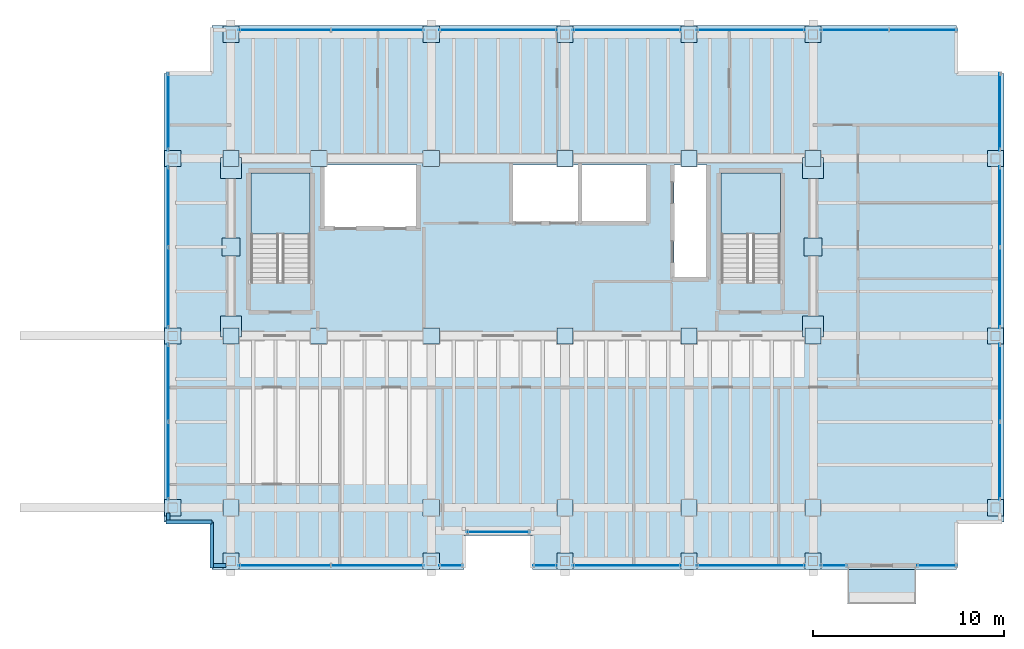
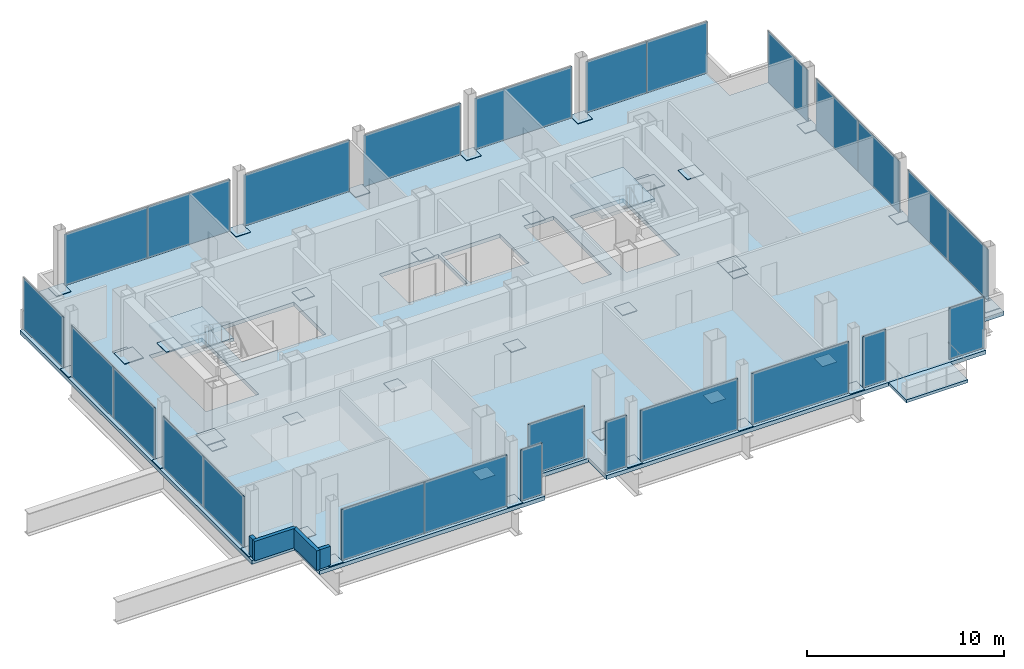
# One storey, part 15 of 19: 65 plates, 4 slabs, 4 walls, 6 openings, 21 elements without a shape of their own.
"""IFC4 building model written with IfcOpenShell, lengths in metres."""

from ifc_helpers import new_model, si_unit, direction, frame, frame_2d, origin, origin_2d, place, context, subcontext, project, spatial, polyline, rectangle, outline, extrude, material, layer, layer_set, type_object, element, aggregate, save


model = new_model("IFC4")

# Units and contexts
model_context = context("Model", 3, precision=1e-05, world=origin(), true_north=direction((0.0, 1.0)))
body_context = subcontext(model_context, "Body", "Model", "MODEL_VIEW")
ifc_project = project(units=[si_unit("LENGTHUNIT", "METRE"), si_unit("AREAUNIT", "SQUARE_METRE"), si_unit("VOLUMEUNIT", "CUBIC_METRE"), si_unit("PLANEANGLEUNIT", "RADIAN"), si_unit("MASSUNIT", "GRAM", prefix="KILO")], contexts=[model_context])

# Site, building, storey
site_placement = place(None, origin())
site = spatial("IfcSite", under=ifc_project, at=site_placement, CompositionType="ELEMENT")
building_placement = place(site_placement, origin())
building = spatial("IfcBuilding", under=site, at=building_placement, Name="Noeulbin Bourse Tower", CompositionType="ELEMENT")
storey_placement = place(building_placement, frame((0.0, 0.0, 169.5)))
storey = spatial("IfcBuildingStorey", under=building, at=storey_placement, Name="L42", CompositionType="ELEMENT", Elevation=169.5)

# Curtain wall, plate
ifc_material_1 = material(Name="Dark Tinted Triple Glazing", Category="glass")
curtain_wall_type = type_object("IfcCurtainWallType", Name="CW-SYS-3", PredefinedType="NOTDEFINED", material=ifc_material_1)
curtain_wall_1_placement = place(storey_placement, origin())
curtain_wall_1 = element("IfcCurtainWall", 1, at=curtain_wall_1_placement, inside=storey, type_object=curtain_wall_type, Name="Unitised Curtain Wall CW-L42-SREC", PredefinedType="NOTDEFINED")
ifc_layer_1 = layer(ifc_material_1, 0.035888671875)
ifc_layer_set_1 = layer_set([ifc_layer_1], Name="Dark Tinted Triple Glazing")
plate_type_1 = type_object("IfcPlateType", Name="CW-SYS-3-PNL", PredefinedType="CURTAIN_PANEL", material=ifc_layer_set_1)
plate_1_placement = place(storey_placement, frame((27.5, 18.72998046875, 0.0), z_axis=(0.0, 0.0, 1.0), x_axis=(1.0, 0.0, 0.0)))
plate_1 = element("IfcPlate", 2, at=plate_1_placement, type_object=plate_type_1, Name="Glazed Curtain Panel CW-L42-SREC-P00", PredefinedType="CURTAIN_PANEL", context=body_context, shape_type="SweptSolid", body=[
    extrude(rectangle(XDim=3.300048828125, YDim=0.035888671875, at=origin_2d()), origin(), (0.0, 0.0, 1.0), 3.179931640625),
])
aggregate(curtain_wall_1, [plate_1])

# Curtain wall, plates
curtain_wall_2_placement = place(storey_placement, origin())
curtain_wall_2 = element("IfcCurtainWall", 3, at=curtain_wall_2_placement, inside=storey, type_object=curtain_wall_type, Name="Unitised Curtain Wall CW-L42-S1-S1", PredefinedType="NOTDEFINED")
plate_2_placement = place(storey_placement, frame((16.330078125, 16.969970703125, 0.0), z_axis=(0.0, 0.0, 1.0), x_axis=(1.0, 0.0, 0.0)))
plate_2 = element("IfcPlate", 4, at=plate_2_placement, type_object=plate_type_1, Name="Glazed Curtain Panel CW-L42-S1-S1-P00", PredefinedType="CURTAIN_PANEL", context=body_context, shape_type="SweptSolid", body=[
    extrude(rectangle(XDim=4.840087890625, YDim=0.035888671875, at=origin_2d()), origin(), (0.0, 0.0, 1.0), 3.179931640625),
])
plate_3_placement = place(storey_placement, frame((21.169921875, 16.969970703125, 0.0), z_axis=(0.0, 0.0, 1.0), x_axis=(1.0, 0.0, 0.0)))
plate_3 = element("IfcPlate", 5, at=plate_3_placement, type_object=plate_type_1, Name="Glazed Curtain Panel CW-L42-S1-S1-P01", PredefinedType="CURTAIN_PANEL", context=body_context, shape_type="SweptSolid", body=[
    extrude(rectangle(XDim=4.840087890625, YDim=0.035888671875, at=origin_2d()), origin(), (0.0, 0.0, 1.0), 3.179931640625),
])
aggregate(curtain_wall_2, [plate_2, plate_3])

# Curtain wall, plate
curtain_wall_3_placement = place(storey_placement, origin())
curtain_wall_3 = element("IfcCurtainWall", 6, at=curtain_wall_3_placement, inside=storey, type_object=curtain_wall_type, Name="Unitised Curtain Wall CW-L42-S1-S2", PredefinedType="NOTDEFINED")
plate_4_placement = place(storey_placement, frame((25.030029296875, 16.969970703125, 0.0), z_axis=(0.0, 0.0, 1.0), x_axis=(1.0, 0.0, 0.0)))
plate_4 = element("IfcPlate", 7, at=plate_4_placement, type_object=plate_type_1, Name="Glazed Curtain Panel CW-L42-S1-S2-P00", PredefinedType="CURTAIN_PANEL", context=body_context, shape_type="SweptSolid", body=[
    extrude(rectangle(XDim=1.239990234375, YDim=0.035888671875, at=origin_2d()), origin(), (0.0, 0.0, 1.0), 3.179931640625),
])
aggregate(curtain_wall_3, [plate_4])

curtain_wall_4_placement = place(storey_placement, origin())
curtain_wall_4 = element("IfcCurtainWall", 8, at=curtain_wall_4_placement, inside=storey, type_object=curtain_wall_type, Name="Unitised Curtain Wall CW-L42-S2-S1", PredefinedType="NOTDEFINED")
plate_5_placement = place(storey_placement, frame((29.969970703125, 16.969970703125, 0.0), z_axis=(0.0, 0.0, 1.0), x_axis=(1.0, 0.0, 0.0)))
plate_5 = element("IfcPlate", 9, at=plate_5_placement, type_object=plate_type_1, Name="Glazed Curtain Panel CW-L42-S2-S1-P00", PredefinedType="CURTAIN_PANEL", context=body_context, shape_type="SweptSolid", body=[
    extrude(rectangle(XDim=1.239990234375, YDim=0.035888671875, at=origin_2d()), origin(), (0.0, 0.0, 1.0), 3.179931640625),
])
aggregate(curtain_wall_4, [plate_5])

curtain_wall_5_placement = place(storey_placement, origin())
curtain_wall_5 = element("IfcCurtainWall", 10, at=curtain_wall_5_placement, inside=storey, type_object=curtain_wall_type, Name="Unitised Curtain Wall CW-L42-S2-S2", PredefinedType="NOTDEFINED")
plate_6_placement = place(storey_placement, frame((34.25, 16.969970703125, 0.0), z_axis=(0.0, 0.0, 1.0), x_axis=(1.0, 0.0, 0.0)))
plate_6 = element("IfcPlate", 11, at=plate_6_placement, type_object=plate_type_1, Name="Glazed Curtain Panel CW-L42-S2-S2-P00", PredefinedType="CURTAIN_PANEL", context=body_context, shape_type="SweptSolid", body=[
    extrude(rectangle(XDim=5.679931640625, YDim=0.035888671875, at=origin_2d()), origin(), (0.0, 0.0, 1.0), 3.179931640625),
])
aggregate(curtain_wall_5, [plate_6])

curtain_wall_6_placement = place(storey_placement, origin())
curtain_wall_6 = element("IfcCurtainWall", 12, at=curtain_wall_6_placement, inside=storey, type_object=curtain_wall_type, Name="Unitised Curtain Wall CW-L42-S2-S3", PredefinedType="NOTDEFINED")
plate_7_placement = place(storey_placement, frame((40.75, 16.969970703125, 0.0), z_axis=(0.0, 0.0, 1.0), x_axis=(1.0, 0.0, 0.0)))
plate_7 = element("IfcPlate", 13, at=plate_7_placement, type_object=plate_type_1, Name="Glazed Curtain Panel CW-L42-S2-S3-P00", PredefinedType="CURTAIN_PANEL", context=body_context, shape_type="SweptSolid", body=[
    extrude(rectangle(XDim=5.679931640625, YDim=0.035888671875, at=origin_2d()), origin(), (0.0, 0.0, 1.0), 3.179931640625),
])
aggregate(curtain_wall_6, [plate_7])

curtain_wall_7_placement = place(storey_placement, origin())
curtain_wall_7 = element("IfcCurtainWall", 14, at=curtain_wall_7_placement, inside=storey, type_object=curtain_wall_type, Name="Unitised Curtain Wall CW-L42-S2-S4", PredefinedType="NOTDEFINED")
plate_8_placement = place(storey_placement, frame((45.080078125, 16.969970703125, 0.0), z_axis=(0.0, 0.0, 1.0), x_axis=(1.0, 0.0, 0.0)))
plate_8 = element("IfcPlate", 15, at=plate_8_placement, type_object=plate_type_1, Name="Glazed Curtain Panel CW-L42-S2-S4-P00", PredefinedType="CURTAIN_PANEL", context=body_context, shape_type="SweptSolid", body=[
    extrude(rectangle(XDim=1.340087890625, YDim=0.035888671875, at=origin_2d()), origin(), (0.0, 0.0, 1.0), 3.179931640625),
])
aggregate(curtain_wall_7, [plate_8])

curtain_wall_8_placement = place(storey_placement, origin())
curtain_wall_8 = element("IfcCurtainWall", 16, at=curtain_wall_8_placement, inside=storey, type_object=curtain_wall_type, Name="Unitised Curtain Wall CW-L42-S3", PredefinedType="NOTDEFINED")
plate_9_placement = place(storey_placement, frame((50.485107421875, 16.969970703125, 0.0), z_axis=(0.0, 0.0, 1.0), x_axis=(1.0, 0.0, 0.0)))
plate_9 = element("IfcPlate", 17, at=plate_9_placement, type_object=plate_type_1, Name="Glazed Curtain Panel CW-L42-S3-P00", PredefinedType="CURTAIN_PANEL", context=body_context, shape_type="SweptSolid", body=[
    extrude(rectangle(XDim=2.070068359375, YDim=0.035888671875, at=origin_2d()), origin(), (0.0, 0.0, 1.0), 3.179931640625),
])
aggregate(curtain_wall_8, [plate_9])

# Curtain wall, plates
curtain_wall_9_placement = place(storey_placement, origin())
curtain_wall_9 = element("IfcCurtainWall", 18, at=curtain_wall_9_placement, inside=storey, type_object=curtain_wall_type, Name="Unitised Curtain Wall CW-L42-N-S1", PredefinedType="NOTDEFINED")
plate_10_placement = place(storey_placement, frame((16.330078125, 45.030029296875, 0.0), z_axis=(0.0, 0.0, 1.0), x_axis=(1.0, 0.0, 0.0)))
plate_10 = element("IfcPlate", 19, at=plate_10_placement, type_object=plate_type_1, Name="Glazed Curtain Panel CW-L42-N-S1-P00", PredefinedType="CURTAIN_PANEL", context=body_context, shape_type="SweptSolid", body=[
    extrude(rectangle(XDim=4.840087890625, YDim=0.035888671875, at=origin_2d()), origin(), (0.0, 0.0, 1.0), 3.179931640625),
])
plate_11_placement = place(storey_placement, frame((21.169921875, 45.030029296875, 0.0), z_axis=(0.0, 0.0, 1.0), x_axis=(1.0, 0.0, 0.0)))
plate_11 = element("IfcPlate", 20, at=plate_11_placement, type_object=plate_type_1, Name="Glazed Curtain Panel CW-L42-N-S1-P01", PredefinedType="CURTAIN_PANEL", context=body_context, shape_type="SweptSolid", body=[
    extrude(rectangle(XDim=4.840087890625, YDim=0.035888671875, at=origin_2d()), origin(), (0.0, 0.0, 1.0), 3.179931640625),
])
aggregate(curtain_wall_9, [plate_10, plate_11])

# Curtain wall, plate
curtain_wall_10_placement = place(storey_placement, origin())
curtain_wall_10 = element("IfcCurtainWall", 21, at=curtain_wall_10_placement, inside=storey, type_object=curtain_wall_type, Name="Unitised Curtain Wall CW-L42-N-S2", PredefinedType="NOTDEFINED")
plate_12_placement = place(storey_placement, frame((27.5, 45.030029296875, 0.0), z_axis=(0.0, 0.0, 1.0), x_axis=(1.0, 0.0, 0.0)))
plate_12 = element("IfcPlate", 22, at=plate_12_placement, type_object=plate_type_1, Name="Glazed Curtain Panel CW-L42-N-S2-P00", PredefinedType="CURTAIN_PANEL", context=body_context, shape_type="SweptSolid", body=[
    extrude(rectangle(XDim=6.179931640625, YDim=0.035888671875, at=origin_2d()), origin(), (0.0, 0.0, 1.0), 3.179931640625),
])
aggregate(curtain_wall_10, [plate_12])

curtain_wall_11_placement = place(storey_placement, origin())
curtain_wall_11 = element("IfcCurtainWall", 23, at=curtain_wall_11_placement, inside=storey, type_object=curtain_wall_type, Name="Unitised Curtain Wall CW-L42-N-S3", PredefinedType="NOTDEFINED")
plate_13_placement = place(storey_placement, frame((34.25, 45.030029296875, 0.0), z_axis=(0.0, 0.0, 1.0), x_axis=(1.0, 0.0, 0.0)))
plate_13 = element("IfcPlate", 24, at=plate_13_placement, type_object=plate_type_1, Name="Glazed Curtain Panel CW-L42-N-S3-P00", PredefinedType="CURTAIN_PANEL", context=body_context, shape_type="SweptSolid", body=[
    extrude(rectangle(XDim=5.679931640625, YDim=0.035888671875, at=origin_2d()), origin(), (0.0, 0.0, 1.0), 3.179931640625),
])
aggregate(curtain_wall_11, [plate_13])

curtain_wall_12_placement = place(storey_placement, origin())
curtain_wall_12 = element("IfcCurtainWall", 25, at=curtain_wall_12_placement, inside=storey, type_object=curtain_wall_type, Name="Unitised Curtain Wall CW-L42-N-S4", PredefinedType="NOTDEFINED")
plate_14_placement = place(storey_placement, frame((40.75, 45.030029296875, 0.0), z_axis=(0.0, 0.0, 1.0), x_axis=(1.0, 0.0, 0.0)))
plate_14 = element("IfcPlate", 26, at=plate_14_placement, type_object=plate_type_1, Name="Glazed Curtain Panel CW-L42-N-S4-P00", PredefinedType="CURTAIN_PANEL", context=body_context, shape_type="SweptSolid", body=[
    extrude(rectangle(XDim=5.679931640625, YDim=0.035888671875, at=origin_2d()), origin(), (0.0, 0.0, 1.0), 3.179931640625),
])
aggregate(curtain_wall_12, [plate_14])

# Curtain wall, plates
curtain_wall_13_placement = place(storey_placement, origin())
curtain_wall_13 = element("IfcCurtainWall", 27, at=curtain_wall_13_placement, inside=storey, type_object=curtain_wall_type, Name="Unitised Curtain Wall CW-L42-N-S5", PredefinedType="NOTDEFINED")
plate_15_placement = place(storey_placement, frame((46.1875, 45.030029296875, 0.0), z_axis=(0.0, 0.0, 1.0), x_axis=(1.0, 0.0, 0.0)))
plate_15 = element("IfcPlate", 28, at=plate_15_placement, type_object=plate_type_1, Name="Glazed Curtain Panel CW-L42-N-S5-P00", PredefinedType="CURTAIN_PANEL", context=body_context, shape_type="SweptSolid", body=[
    extrude(rectangle(XDim=3.554931640625, YDim=0.035888671875, at=origin_2d()), origin(), (0.0, 0.0, 1.0), 3.179931640625),
])
plate_16_placement = place(storey_placement, frame((49.742431640625, 45.030029296875, 0.0), z_axis=(0.0, 0.0, 1.0), x_axis=(1.0, 0.0, 0.0)))
plate_16 = element("IfcPlate", 29, at=plate_16_placement, type_object=plate_type_1, Name="Glazed Curtain Panel CW-L42-N-S5-P01", PredefinedType="CURTAIN_PANEL", context=body_context, shape_type="SweptSolid", body=[
    extrude(rectangle(XDim=3.554931640625, YDim=0.035888671875, at=origin_2d()), origin(), (0.0, 0.0, 1.0), 3.179931640625),
])
aggregate(curtain_wall_13, [plate_15, plate_16])

curtain_wall_14_placement = place(storey_placement, origin())
curtain_wall_14 = element("IfcCurtainWall", 30, at=curtain_wall_14_placement, inside=storey, type_object=curtain_wall_type, Name="Unitised Curtain Wall CW-L42-W-S1", PredefinedType="NOTDEFINED")
plate_17_placement = place(storey_placement, frame((10.219970703125, 22.455078125, 0.0), z_axis=(0.0, 0.0, 1.0), x_axis=(0.0, 1.0, 0.0)))
plate_17 = element("IfcPlate", 31, at=plate_17_placement, type_object=plate_type_1, Name="Glazed Curtain Panel CW-L42-W-S1-P00", PredefinedType="CURTAIN_PANEL", context=body_context, shape_type="SweptSolid", body=[
    extrude(rectangle(XDim=4.090087890625, YDim=0.035888671875, at=origin_2d()), origin(), (0.0, 0.0, 1.0), 3.179931640625),
])
plate_18_placement = place(storey_placement, frame((10.219970703125, 26.544921875, 0.0), z_axis=(0.0, 0.0, 1.0), x_axis=(0.0, 1.0, 0.0)))
plate_18 = element("IfcPlate", 32, at=plate_18_placement, type_object=plate_type_1, Name="Glazed Curtain Panel CW-L42-W-S1-P01", PredefinedType="CURTAIN_PANEL", context=body_context, shape_type="SweptSolid", body=[
    extrude(rectangle(XDim=4.090087890625, YDim=0.035888671875, at=origin_2d()), origin(), (0.0, 0.0, 1.0), 3.179931640625),
])
aggregate(curtain_wall_14, [plate_17, plate_18])

curtain_wall_15_placement = place(storey_placement, origin())
curtain_wall_15 = element("IfcCurtainWall", 33, at=curtain_wall_15_placement, inside=storey, type_object=curtain_wall_type, Name="Unitised Curtain Wall CW-L42-W-S2", PredefinedType="NOTDEFINED")
plate_19_placement = place(storey_placement, frame((10.219970703125, 31.530029296875, 0.0), z_axis=(0.0, 0.0, 1.0), x_axis=(0.0, 1.0, 0.0)))
plate_19 = element("IfcPlate", 34, at=plate_19_placement, type_object=plate_type_1, Name="Glazed Curtain Panel CW-L42-W-S2-P00", PredefinedType="CURTAIN_PANEL", context=body_context, shape_type="SweptSolid", body=[
    extrude(rectangle(XDim=4.239990234375, YDim=0.035888671875, at=origin_2d()), origin(), (0.0, 0.0, 1.0), 3.179931640625),
])
plate_20_placement = place(storey_placement, frame((10.219970703125, 35.77001953125, 0.0), z_axis=(0.0, 0.0, 1.0), x_axis=(0.0, 1.0, 0.0)))
plate_20 = element("IfcPlate", 35, at=plate_20_placement, type_object=plate_type_1, Name="Glazed Curtain Panel CW-L42-W-S2-P01", PredefinedType="CURTAIN_PANEL", context=body_context, shape_type="SweptSolid", body=[
    extrude(rectangle(XDim=4.239990234375, YDim=0.035888671875, at=origin_2d()), origin(), (0.0, 0.0, 1.0), 3.179931640625),
])
aggregate(curtain_wall_15, [plate_19, plate_20])

# Curtain wall, plate
curtain_wall_16_placement = place(storey_placement, origin())
curtain_wall_16 = element("IfcCurtainWall", 36, at=curtain_wall_16_placement, inside=storey, type_object=curtain_wall_type, Name="Unitised Curtain Wall CW-L42-W-S3", PredefinedType="NOTDEFINED")
plate_21_placement = place(storey_placement, frame((10.219970703125, 40.739990234375, 0.0), z_axis=(0.0, 0.0, 1.0), x_axis=(0.0, 1.0, 0.0)))
plate_21 = element("IfcPlate", 37, at=plate_21_placement, type_object=plate_type_1, Name="Glazed Curtain Panel CW-L42-W-S3-P00", PredefinedType="CURTAIN_PANEL", context=body_context, shape_type="SweptSolid", body=[
    extrude(rectangle(XDim=4.06005859375, YDim=0.035888671875, at=origin_2d()), origin(), (0.0, 0.0, 1.0), 3.179931640625),
])
aggregate(curtain_wall_16, [plate_21])

# Curtain wall, plates
curtain_wall_17_placement = place(storey_placement, origin())
curtain_wall_17 = element("IfcCurtainWall", 38, at=curtain_wall_17_placement, inside=storey, type_object=curtain_wall_type, Name="Unitised Curtain Wall CW-L42-E-S1", PredefinedType="NOTDEFINED")
plate_22_placement = place(storey_placement, frame((53.780029296875, 22.455078125, 0.0), z_axis=(0.0, 0.0, 1.0), x_axis=(0.0, 1.0, 0.0)))
plate_22 = element("IfcPlate", 39, at=plate_22_placement, type_object=plate_type_1, Name="Glazed Curtain Panel CW-L42-E-S1-P00", PredefinedType="CURTAIN_PANEL", context=body_context, shape_type="SweptSolid", body=[
    extrude(rectangle(XDim=4.090087890625, YDim=0.035888671875, at=origin_2d()), origin(), (0.0, 0.0, 1.0), 3.179931640625),
])
plate_23_placement = place(storey_placement, frame((53.780029296875, 26.544921875, 0.0), z_axis=(0.0, 0.0, 1.0), x_axis=(0.0, 1.0, 0.0)))
plate_23 = element("IfcPlate", 40, at=plate_23_placement, type_object=plate_type_1, Name="Glazed Curtain Panel CW-L42-E-S1-P01", PredefinedType="CURTAIN_PANEL", context=body_context, shape_type="SweptSolid", body=[
    extrude(rectangle(XDim=4.090087890625, YDim=0.035888671875, at=origin_2d()), origin(), (0.0, 0.0, 1.0), 3.179931640625),
])
aggregate(curtain_wall_17, [plate_22, plate_23])

curtain_wall_18_placement = place(storey_placement, origin())
curtain_wall_18 = element("IfcCurtainWall", 41, at=curtain_wall_18_placement, inside=storey, type_object=curtain_wall_type, Name="Unitised Curtain Wall CW-L42-E-S2", PredefinedType="NOTDEFINED")
plate_24_placement = place(storey_placement, frame((53.780029296875, 31.530029296875, 0.0), z_axis=(0.0, 0.0, 1.0), x_axis=(0.0, 1.0, 0.0)))
plate_24 = element("IfcPlate", 42, at=plate_24_placement, type_object=plate_type_1, Name="Glazed Curtain Panel CW-L42-E-S2-P00", PredefinedType="CURTAIN_PANEL", context=body_context, shape_type="SweptSolid", body=[
    extrude(rectangle(XDim=4.239990234375, YDim=0.035888671875, at=origin_2d()), origin(), (0.0, 0.0, 1.0), 3.179931640625),
])
plate_25_placement = place(storey_placement, frame((53.780029296875, 35.77001953125, 0.0), z_axis=(0.0, 0.0, 1.0), x_axis=(0.0, 1.0, 0.0)))
plate_25 = element("IfcPlate", 43, at=plate_25_placement, type_object=plate_type_1, Name="Glazed Curtain Panel CW-L42-E-S2-P01", PredefinedType="CURTAIN_PANEL", context=body_context, shape_type="SweptSolid", body=[
    extrude(rectangle(XDim=4.239990234375, YDim=0.035888671875, at=origin_2d()), origin(), (0.0, 0.0, 1.0), 3.179931640625),
])
aggregate(curtain_wall_18, [plate_24, plate_25])

# Curtain wall, plate
curtain_wall_19_placement = place(storey_placement, origin())
curtain_wall_19 = element("IfcCurtainWall", 44, at=curtain_wall_19_placement, inside=storey, type_object=curtain_wall_type, Name="Unitised Curtain Wall CW-L42-E-S3", PredefinedType="NOTDEFINED")
plate_26_placement = place(storey_placement, frame((53.780029296875, 40.739990234375, 0.0), z_axis=(0.0, 0.0, 1.0), x_axis=(0.0, 1.0, 0.0)))
plate_26 = element("IfcPlate", 45, at=plate_26_placement, type_object=plate_type_1, Name="Glazed Curtain Panel CW-L42-E-S3-P00", PredefinedType="CURTAIN_PANEL", context=body_context, shape_type="SweptSolid", body=[
    extrude(rectangle(XDim=4.06005859375, YDim=0.035888671875, at=origin_2d()), origin(), (0.0, 0.0, 1.0), 3.179931640625),
])
aggregate(curtain_wall_19, [plate_26])

# Plates
ifc_material_2 = material(Name="Steel S355", Category="steel")
ifc_layer_2 = layer(ifc_material_2, 0.030029296875)
ifc_layer_set_2 = layer_set([ifc_layer_2], Name="Steel S355")
plate_type_2 = type_object("IfcPlateType", Name="PLT-BN1", PredefinedType="USERDEFINED", material=ifc_layer_set_2)
for number, where, z_axis, x_axis, name in (
    (46, (13.5, 29.0, 0.0048828125), (0.0, 0.0, 1.0), (1.0, 0.0, 0.0), "Mega-Column Splice Plate BN1-L42-01"),
    (47, (13.5, 38.300048828125, 0.0048828125), (0.0, 0.0, 1.0), (1.0, 0.0, 0.0), "Mega-Column Splice Plate BN1-L42-02"),
    (48, (18.10009765625, 29.0, 0.0048828125), (0.0, 0.0, 1.0), (1.0, 0.0, 0.0), "Mega-Column Splice Plate BN1-L42-03"),
    (49, (18.10009765625, 38.300048828125, 0.0048828125), (0.0, 0.0, 1.0), (1.0, 0.0, 0.0), "Mega-Column Splice Plate BN1-L42-04"),
    (50, (24.0, 29.0, 0.0048828125), (0.0, 0.0, 1.0), (1.0, 0.0, 0.0), "Mega-Column Splice Plate BN1-L42-05"),
    (51, (24.0, 38.300048828125, 0.0048828125), (0.0, 0.0, 1.0), (1.0, 0.0, 0.0), "Mega-Column Splice Plate BN1-L42-06"),
    (52, (31.0, 29.0, 0.0048828125), (0.0, 0.0, 1.0), (1.0, 0.0, 0.0), "Mega-Column Splice Plate BN1-L42-07"),
    (53, (31.0, 38.300048828125, 0.0048828125), (0.0, 0.0, 1.0), (1.0, 0.0, 0.0), "Mega-Column Splice Plate BN1-L42-08"),
    (54, (37.5, 29.0, 0.0048828125), (0.0, 0.0, 1.0), (1.0, 0.0, 0.0), "Mega-Column Splice Plate BN1-L42-09"),
    (55, (37.5, 38.300048828125, 0.0048828125), (0.0, 0.0, 1.0), (1.0, 0.0, 0.0), "Mega-Column Splice Plate BN1-L42-10"),
    (56, (44.0, 29.0, 0.0048828125), (0.0, 0.0, 1.0), (1.0, 0.0, 0.0), "Mega-Column Splice Plate BN1-L42-11"),
    (57, (44.0, 38.300048828125, 0.0048828125), (0.0, 0.0, 1.0), (1.0, 0.0, 0.0), "Mega-Column Splice Plate BN1-L42-12"),
    (58, (13.5, 20.0, 0.0048828125), (0.0, 0.0, 1.0), (1.0, 0.0, 0.0), "Mega-Column Splice Plate BN1-L42-13"),
    (59, (24.0, 20.0, 0.0048828125), (0.0, 0.0, 1.0), (1.0, 0.0, 0.0), "Mega-Column Splice Plate BN1-L42-14"),
    (60, (31.0, 20.0, 0.0048828125), (0.0, 0.0, 1.0), (1.0, 0.0, 0.0), "Mega-Column Splice Plate BN1-L42-15"),
    (61, (37.5, 20.0, 0.0048828125), (0.0, 0.0, 1.0), (1.0, 0.0, 0.0), "Mega-Column Splice Plate BN1-L42-16"),
    (62, (44.0, 20.0, 0.0048828125), (0.0, 0.0, 1.0), (1.0, 0.0, 0.0), "Mega-Column Splice Plate BN1-L42-17"),
    (63, (10.449951171875, 20.0, 0.0048828125), (0.0, 0.0, 1.0), (1.0, 0.0, 0.0), "Perimeter Column Splice Plate BN1-L42-01"),
    (64, (10.449951171875, 29.0, 0.0048828125), (0.0, 0.0, 1.0), (1.0, 0.0, 0.0), "Perimeter Column Splice Plate BN1-L42-02"),
    (65, (10.449951171875, 38.300048828125, 0.0048828125), (0.0, 0.0, 1.0), (1.0, 0.0, 0.0), "Perimeter Column Splice Plate BN1-L42-03"),
    (66, (13.5, 17.199951171875, 0.0048828125), (0.0, 0.0, 1.0), (1.0, 0.0, 0.0), "Perimeter Column Splice Plate BN1-L42-04"),
    (67, (13.5, 44.800048828125, 0.0048828125), (0.0, 0.0, 1.0), (1.0, 0.0, 0.0), "Perimeter Column Splice Plate BN1-L42-05"),
    (68, (24.0, 17.199951171875, 0.0048828125), (0.0, 0.0, 1.0), (1.0, 0.0, 0.0), "Perimeter Column Splice Plate BN1-L42-06"),
    (69, (24.0, 44.800048828125, 0.0048828125), (0.0, 0.0, 1.0), (1.0, 0.0, 0.0), "Perimeter Column Splice Plate BN1-L42-07"),
    (70, (31.0, 17.199951171875, 0.0048828125), (0.0, 0.0, 1.0), (1.0, 0.0, 0.0), "Perimeter Column Splice Plate BN1-L42-08"),
    (71, (31.0, 44.800048828125, 0.0048828125), (0.0, 0.0, 1.0), (1.0, 0.0, 0.0), "Perimeter Column Splice Plate BN1-L42-09"),
    (72, (37.5, 17.199951171875, 0.0048828125), (0.0, 0.0, 1.0), (1.0, 0.0, 0.0), "Perimeter Column Splice Plate BN1-L42-10"),
    (73, (37.5, 44.800048828125, 0.0048828125), (0.0, 0.0, 1.0), (1.0, 0.0, 0.0), "Perimeter Column Splice Plate BN1-L42-11"),
    (74, (44.0, 17.199951171875, 0.0048828125), (0.0, 0.0, 1.0), (1.0, 0.0, 0.0), "Perimeter Column Splice Plate BN1-L42-12"),
    (75, (44.0, 44.800048828125, 0.0048828125), (0.0, 0.0, 1.0), (1.0, 0.0, 0.0), "Perimeter Column Splice Plate BN1-L42-13"),
    (76, (53.550048828125, 20.0, 0.0048828125), (0.0, 0.0, 1.0), (1.0, 0.0, 0.0), "Perimeter Column Splice Plate BN1-L42-14"),
    (77, (53.550048828125, 29.0, 0.0048828125), (0.0, 0.0, 1.0), (1.0, 0.0, 0.0), "Perimeter Column Splice Plate BN1-L42-15"),
    (78, (53.550048828125, 38.300048828125, 0.0048828125), (0.0, 0.0, 1.0), (1.0, 0.0, 0.0), "Perimeter Column Splice Plate BN1-L42-16"),
):
    element("IfcPlate", number, at=place(storey_placement, frame(where, z_axis=z_axis, x_axis=x_axis)), inside=storey, type_object=plate_type_2, Name=name, ObjectType="SPLICE PLATE", PredefinedType="USERDEFINED", context=body_context, shape_type="SweptSolid", body=[
        extrude(rectangle(XDim=0.85009765625, YDim=0.85009765625, at=origin_2d()), origin(), (0.0, 0.0, 1.0), 0.030029296875),
    ])
ifc_material_3 = material(Name="Steel S460", Category="steel")
ifc_layer_3 = layer(ifc_material_3, 0.035888671875)
ifc_layer_set_3 = layer_set([ifc_layer_3], Name="Steel S460")
plate_type_3 = type_object("IfcPlateType", Name="PLT-KN2", PredefinedType="USERDEFINED", material=ifc_layer_set_3)
for number, where, z_axis, x_axis, name in (
    (79, (13.5, 29.5, 0.18212890625), (0.0, 0.0, 1.0), (1.0, 0.0, 0.0), "Core Flank Brace South Gusset Plate KN2-L42-WA"),
    (80, (13.5, 37.800048828125, 0.18212890625), (0.0, 0.0, 1.0), (1.0, 0.0, 0.0), "Core Flank Brace North Gusset Plate KN2-L42-WB"),
    (81, (44.0, 29.5, 0.18212890625), (0.0, 0.0, 1.0), (1.0, 0.0, 0.0), "Core Flank Brace South Gusset Plate KN2-L42-EA"),
    (82, (44.0, 37.800048828125, 0.18212890625), (0.0, 0.0, 1.0), (1.0, 0.0, 0.0), "Core Flank Brace North Gusset Plate KN2-L42-EB"),
):
    element("IfcPlate", number, at=place(storey_placement, frame(where, z_axis=z_axis, x_axis=x_axis)), inside=storey, type_object=plate_type_3, Name=name, ObjectType="GUSSET PLATE", PredefinedType="USERDEFINED", context=body_context, shape_type="SweptSolid", body=[
        extrude(rectangle(XDim=1.10009765625, YDim=1.10009765625, at=origin_2d()), origin(), (0.0, 0.0, 1.0), 0.035888671875),
    ])
ifc_layer_4 = layer(ifc_material_2, 0.031982421875)
ifc_layer_set_4 = layer_set([ifc_layer_4], Name="Steel S355")
plate_type_4 = type_object("IfcPlateType", Name="PLT-KN3", PredefinedType="USERDEFINED", material=ifc_layer_set_4)
for number, where, z_axis, x_axis, name in (
    (83, (13.5, 33.64990234375, 3.35400390625), (0.0, 0.0, 1.0), (1.0, 0.0, 0.0), "Core Flank Brace Apex End Plate KN3-L42-W"),
    (84, (44.0, 33.64990234375, 3.35400390625), (0.0, 0.0, 1.0), (1.0, 0.0, 0.0), "Core Flank Brace Apex End Plate KN3-L42-E"),
):
    element("IfcPlate", number, at=place(storey_placement, frame(where, z_axis=z_axis, x_axis=x_axis)), inside=storey, type_object=plate_type_4, Name=name, ObjectType="END PLATE", PredefinedType="USERDEFINED", context=body_context, shape_type="SweptSolid", body=[
        extrude(rectangle(XDim=0.949951171875, YDim=0.949951171875, at=origin_2d()), origin(), (0.0, 0.0, 1.0), 0.031982421875),
    ])

# Stair, slab
ifc_material_4 = material(Name="Concrete C40/50", Category="concrete")
stair_type = type_object("IfcStairType", Name="STR-CORE-1560", PredefinedType="HALF_TURN_STAIR", material=ifc_material_4)
stair_1_placement = place(storey_placement, origin())
stair_1 = element("IfcStair", 85, at=stair_1_placement, inside=storey, type_object=stair_type, Name="L42 ST-1", PredefinedType="HALF_TURN_STAIR")
ifc_layer_5 = layer(ifc_material_4, 0.199951171875)
ifc_layer_set_5 = layer_set([ifc_layer_5], Name="Concrete C40/50")
slab_type_1 = type_object("IfcSlabType", Name="SLB-LND-200", PredefinedType="LANDING", material=ifc_layer_set_5)
slab_1_placement = place(storey_placement, frame((0.0, 0.0, 1.75)))
slab_1 = element("IfcSlab", 86, at=slab_1_placement, type_object=slab_type_1, Name="ST-1 landing 1", PredefinedType="LANDING", context=body_context, shape_type="SweptSolid", body=[
    extrude(outline(polyline([(17.64990234375, 34.330078125), (17.64990234375, 37.5439453125), (14.550048828125, 37.5439453125), (14.550048828125, 34.330078125), (17.64990234375, 34.330078125)])), origin(), (0.0, 0.0, 1.0), 0.199951171875),
])
aggregate(stair_1, [slab_1])

stair_2_placement = place(storey_placement, origin())
stair_2 = element("IfcStair", 87, at=stair_2_placement, inside=storey, type_object=stair_type, Name="L42 ST-2", PredefinedType="HALF_TURN_STAIR")
slab_2_placement = place(storey_placement, frame((0.0, 0.0, 1.75)))
slab_2 = element("IfcSlab", 88, at=slab_2_placement, type_object=slab_type_1, Name="ST-2 landing 1", PredefinedType="LANDING", context=body_context, shape_type="SweptSolid", body=[
    extrude(outline(polyline([(42.280029296875, 34.330078125), (42.280029296875, 37.5439453125), (39.179931640625, 37.5439453125), (39.179931640625, 34.330078125), (42.280029296875, 34.330078125)])), origin(), (0.0, 0.0, 1.0), 0.199951171875),
])
aggregate(stair_2, [slab_2])

# Slab, openings
ifc_layer_6 = layer(ifc_material_4, 0.239990234375)
ifc_layer_set_6 = layer_set([ifc_layer_6], Name="Concrete C40/50")
slab_type_2 = type_object("IfcSlabType", Name="SLB-TRF-240", PredefinedType="FLOOR", material=ifc_layer_set_6)
slab_3_placement = place(storey_placement, frame((0.0, 0.0, -0.239990234375)))
slab_3 = element("IfcSlab", 89, at=slab_3_placement, inside=storey, type_object=slab_type_2, Name="Tower Structural Floor Slab L42", PredefinedType="FLOOR", context=body_context, shape_type="SweptSolid", body=[
    extrude(outline(polyline([(12.5, 16.75), (25.699951171875, 16.75), (25.699951171875, 18.550048828125), (29.300048828125, 18.550048828125), (29.300048828125, 16.75), (51.5, 16.75), (51.5, 19.25), (54.0, 19.25), (54.0, 42.75), (51.5, 42.75), (51.5, 45.25), (12.5, 45.25), (12.5, 42.75), (10.0, 42.75), (10.0, 19.25), (12.5, 19.25), (12.5, 16.75)]), holes=[polyline([(17.64990234375, 31.81005859375), (17.64990234375, 37.5439453125), (14.550048828125, 37.5439453125), (14.550048828125, 31.81005859375), (17.64990234375, 31.81005859375)]), polyline([(42.280029296875, 31.81005859375), (42.280029296875, 37.5439453125), (39.179931640625, 37.5439453125), (39.179931640625, 31.81005859375), (42.280029296875, 31.81005859375)]), polyline([(18.35009765625, 34.699951171875), (23.25, 34.699951171875), (23.25, 37.949951171875), (18.35009765625, 37.949951171875), (18.35009765625, 34.699951171875)]), polyline([(36.699951171875, 32.050048828125), (38.449951171875, 32.050048828125), (38.449951171875, 37.949951171875), (36.699951171875, 37.949951171875), (36.699951171875, 32.050048828125)]), polyline([(28.25, 35.0), (31.699951171875, 35.0), (31.699951171875, 37.949951171875), (28.25, 37.949951171875), (28.25, 35.0)]), polyline([(31.85009765625, 35.0), (35.300048828125, 35.0), (35.300048828125, 37.949951171875), (31.85009765625, 37.949951171875), (31.85009765625, 35.0)])]), origin(), (0.0, 0.0, 1.0), 0.239990234375),
])
opening_1_placement = place(slab_3_placement, frame((0.0, 0.0, -0.010009765625)))
element("IfcOpeningElement", 90, at=opening_1_placement, cuts=slab_3, Name="Slab Shaft Opening SLB-L42-TWR-1", PredefinedType="OPENING", context=body_context, shape_type="SweptSolid", body=[
    extrude(outline(polyline([(17.64990234375, 31.81005859375), (17.64990234375, 37.5439453125), (14.550048828125, 37.5439453125), (14.550048828125, 31.81005859375), (17.64990234375, 31.81005859375)])), origin(), (0.0, 0.0, 1.0), 0.260009765625),
])
opening_2_placement = place(slab_3_placement, frame((0.0, 0.0, -0.010009765625)))
element("IfcOpeningElement", 91, at=opening_2_placement, cuts=slab_3, Name="Slab Shaft Opening SLB-L42-TWR-2", PredefinedType="OPENING", context=body_context, shape_type="SweptSolid", body=[
    extrude(outline(polyline([(42.280029296875, 31.81005859375), (42.280029296875, 37.5439453125), (39.179931640625, 37.5439453125), (39.179931640625, 31.81005859375), (42.280029296875, 31.81005859375)])), origin(), (0.0, 0.0, 1.0), 0.260009765625),
])
opening_3_placement = place(slab_3_placement, frame((0.0, 0.0, -0.010009765625)))
element("IfcOpeningElement", 92, at=opening_3_placement, cuts=slab_3, Name="Slab Shaft Opening SLB-L42-TWR-3", PredefinedType="OPENING", context=body_context, shape_type="SweptSolid", body=[
    extrude(outline(polyline([(18.35009765625, 34.699951171875), (23.25, 34.699951171875), (23.25, 37.949951171875), (18.35009765625, 37.949951171875), (18.35009765625, 34.699951171875)])), origin(), (0.0, 0.0, 1.0), 0.260009765625),
])
opening_4_placement = place(slab_3_placement, frame((0.0, 0.0, -0.010009765625)))
element("IfcOpeningElement", 93, at=opening_4_placement, cuts=slab_3, Name="Slab Shaft Opening SLB-L42-TWR-4", PredefinedType="OPENING", context=body_context, shape_type="SweptSolid", body=[
    extrude(outline(polyline([(36.699951171875, 32.050048828125), (38.449951171875, 32.050048828125), (38.449951171875, 37.949951171875), (36.699951171875, 37.949951171875), (36.699951171875, 32.050048828125)])), origin(), (0.0, 0.0, 1.0), 0.260009765625),
])
opening_5_placement = place(slab_3_placement, frame((0.0, 0.0, -0.010009765625)))
element("IfcOpeningElement", 94, at=opening_5_placement, cuts=slab_3, Name="Slab Shaft Opening SLB-L42-TWR-5", PredefinedType="OPENING", context=body_context, shape_type="SweptSolid", body=[
    extrude(outline(polyline([(28.25, 35.0), (31.699951171875, 35.0), (31.699951171875, 37.949951171875), (28.25, 37.949951171875), (28.25, 35.0)])), origin(), (0.0, 0.0, 1.0), 0.260009765625),
])
opening_6_placement = place(slab_3_placement, frame((0.0, 0.0, -0.010009765625)))
element("IfcOpeningElement", 95, at=opening_6_placement, cuts=slab_3, Name="Slab Shaft Opening SLB-L42-TWR-6", PredefinedType="OPENING", context=body_context, shape_type="SweptSolid", body=[
    extrude(outline(polyline([(31.85009765625, 35.0), (35.300048828125, 35.0), (35.300048828125, 37.949951171875), (31.85009765625, 37.949951171875), (31.85009765625, 35.0)])), origin(), (0.0, 0.0, 1.0), 0.260009765625),
])

# Slab
ifc_layer_7 = layer(ifc_material_4, 0.179931640625)
ifc_layer_set_7 = layer_set([ifc_layer_7], Name="Concrete C40/50")
slab_type_3 = type_object("IfcSlabType", Name="SLB-TYP-180", PredefinedType="FLOOR", material=ifc_layer_set_7)
slab_4_placement = place(storey_placement, frame((0.0, 0.0, -0.179931640625)))
element("IfcSlab", 96, at=slab_4_placement, inside=storey, type_object=slab_type_3, Name="Cantilevered Tree-Balcony Slab L42", PredefinedType="FLOOR", context=body_context, shape_type="SweptSolid", body=[
    extrude(outline(polyline([(45.800048828125, 14.949951171875), (49.39990234375, 14.949951171875), (49.39990234375, 16.75), (45.800048828125, 16.75), (45.800048828125, 14.949951171875)])), origin(), (0.0, 0.0, 1.0), 0.179931640625),
])

# Walls
ifc_layer_8 = layer(ifc_material_4, 0.199951171875)
ifc_layer_set_8 = layer_set([ifc_layer_8], Name="Concrete C40/50")
wall_type = type_object("IfcWallType", Name="WAL-PAR-200", PredefinedType="PARAPET", material=ifc_layer_set_8)
wall_1_placement = place(storey_placement, frame((10.219970703125, 19.35009765625, 0.0), z_axis=(0.0, 0.0, 1.0), x_axis=(0.0, 1.0, 0.0)))
element("IfcWall", 97, at=wall_1_placement, inside=storey, type_object=wall_type, Name="Perimeter Pier Spandrel Parapet L42-W2", PredefinedType="PARAPET", context=body_context, shape_type="SweptSolid", body=[
    extrude(rectangle(XDim=0.3798828125, YDim=0.199951171875, at=frame_2d((0.18994140625, 0.0))), origin(), (0.0, 0.0, 1.0), 1.199951171875),
])
wall_2_placement = place(storey_placement, frame((12.60009765625, 16.969970703125, 0.0), z_axis=(0.0, 0.0, 1.0), x_axis=(1.0, 0.0, 0.0)))
element("IfcWall", 98, at=wall_2_placement, inside=storey, type_object=wall_type, Name="Perimeter Pier Spandrel Parapet L42-S4", PredefinedType="PARAPET", context=body_context, shape_type="SweptSolid", body=[
    extrude(rectangle(XDim=0.6298828125, YDim=0.199951171875, at=frame_2d((0.31494140625, 0.0))), origin(), (0.0, 0.0, 1.0), 1.199951171875),
])
for number, where, z_axis, x_axis, name in (
    (99, (10.10009765625, 19.25, 0.0), (0.0, 0.0, 1.0), (1.0, 0.0, 0.0), "Corner Notch Parapet L42-SW1"),
    (100, (12.5, 19.25, 0.0), (0.0, 0.0, 1.0), (0.0, -1.0, 0.0), "Corner Notch Parapet L42-SW2"),
):
    element("IfcWall", number, at=place(storey_placement, frame(where, z_axis=z_axis, x_axis=x_axis)), inside=storey, type_object=wall_type, Name=name, PredefinedType="PARAPET", context=body_context, shape_type="SweptSolid", body=[
        extrude(rectangle(XDim=2.39990234375, YDim=0.199951171875, at=frame_2d((1.199951171875, 0.0))), origin(), (0.0, 0.0, 1.0), 1.199951171875),
    ])

save(model, "model.ifc")
